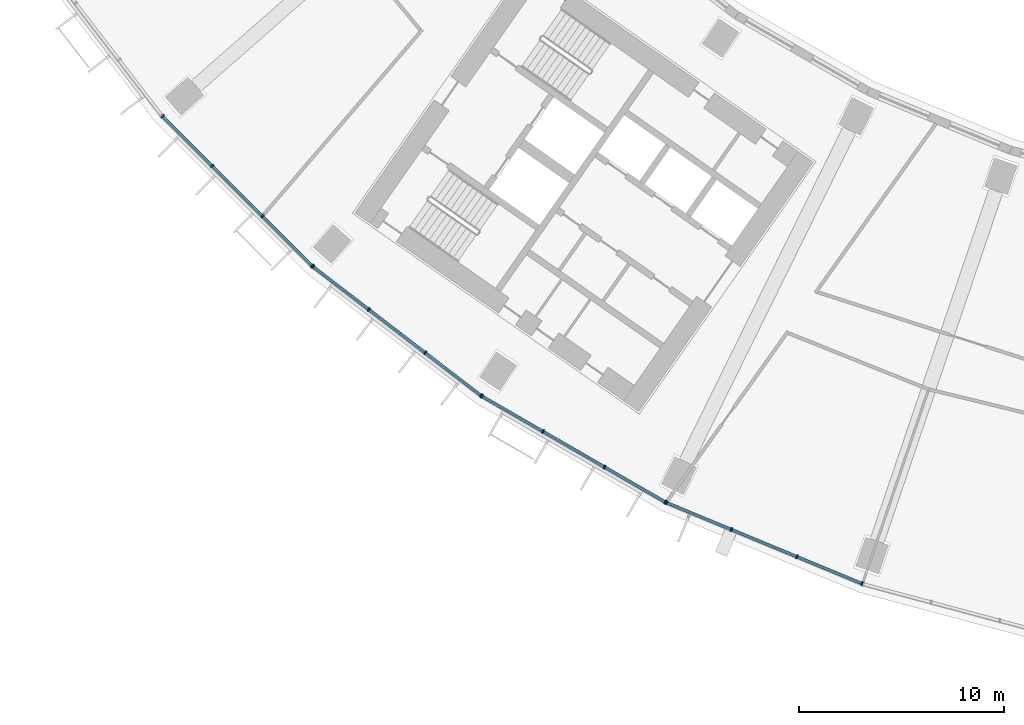
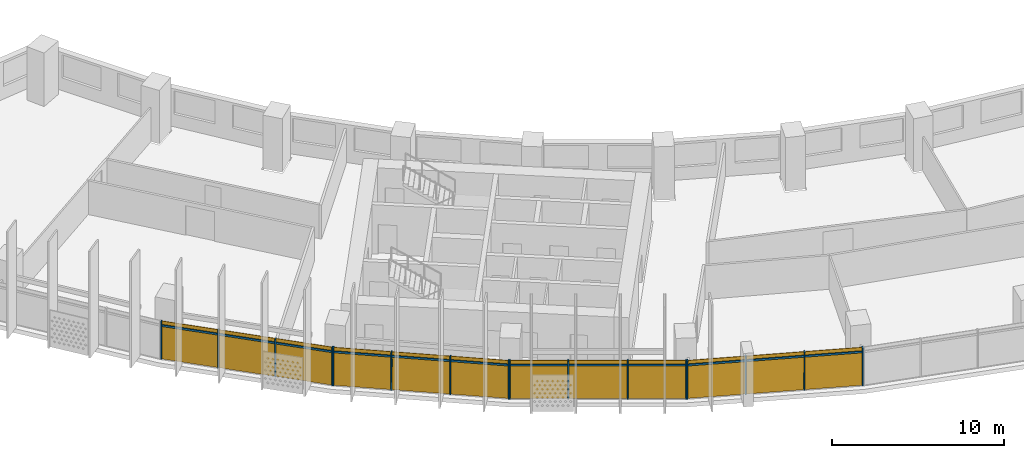
# One storey, part 18 of 33: 28 members, 4 curtain walls.
"""IFC4 building model written with IfcOpenShell, lengths in metres."""

import ifcopenshell
import ifcopenshell.guid

model = None  # the IFC model being written
_history = None  # IfcOwnerHistory: only IFC2X3 demands one
_inside = {}  # id of a spatial element -> (the spatial element, [elements in it])
_under = {}  # id of a project, library or spatial element -> (it, [spatial elements below it])
_declared = {}  # id of a project -> (the project, [libraries it declares])
_typed = {}  # id of a type object -> (the type object, [elements of that type])
_made_of = {}  # id of a material, layer set ... -> (it, [elements and type objects made of it])


def new_model(schema):
    """Start an empty IFC model of exactly this schema.

    Asked for "IFC4X3", IfcOpenShell would pick the latest addendum, in which some entities
    have other attributes; the version numbers below select the first issue.
    IFC2X3 requires an IfcOwnerHistory on every rooted entity: one is made here for all.
    """
    global model, _history
    if schema == "IFC4X3":
        model = ifcopenshell.file(schema_version=(4, 3, 0, 0))
    else:
        model = ifcopenshell.file(schema=schema)
    _inside.clear()
    _under.clear()
    _declared.clear()
    _typed.clear()
    _made_of.clear()
    _history = None
    if model.schema == "IFC2X3":
        org = make("IfcOrganization", Name="unknown")
        user = make(
            "IfcPersonAndOrganization",
            ThePerson=make("IfcPerson", FamilyName="unknown"),
            TheOrganization=org,
        )
        app = make(
            "IfcApplication",
            ApplicationDeveloper=org,
            Version="unknown",
            ApplicationFullName="unknown",
            ApplicationIdentifier="unknown",
        )
        _history = make(
            "IfcOwnerHistory",
            OwningUser=user,
            OwningApplication=app,
            ChangeAction="ADDED",
            CreationDate=0,
        )
    return model


def make(cls, **values):
    """One entity of the class cls with the attributes given. An attribute that is None is left unset."""
    return model.create_entity(
        cls, **{name: value for name, value in values.items() if value is not None}
    )


def rooted(cls, **values):
    """An entity with a GlobalId (a new one), such as an element, a storey or a relation."""
    return make(cls, GlobalId=ifcopenshell.guid.new(), OwnerHistory=_history, **values)


def si_unit(unit_type, name, prefix=None):
    """IfcSIUnit, for example si_unit("LENGTHUNIT", "METRE", prefix="MILLI")."""
    return make("IfcSIUnit", UnitType=unit_type, Prefix=prefix, Name=name)


def assignment(units):
    """IfcUnitAssignment: the units of a project."""
    return None if units is None else make("IfcUnitAssignment", Units=units)


def point(xyz):
    """IfcCartesianPoint."""
    return None if xyz is None else make("IfcCartesianPoint", Coordinates=xyz)


def direction(xyz):
    """IfcDirection."""
    return None if xyz is None else make("IfcDirection", DirectionRatios=xyz)


def frame(location, z_axis=None, x_axis=None):
    """IfcAxis2Placement3D, a coordinate frame: its origin and axes. An axis left out is left unset."""
    return make(
        "IfcAxis2Placement3D",
        Location=point(location),
        Axis=direction(z_axis),
        RefDirection=direction(x_axis),
    )


def frame_2d(location, x_axis=None):
    """IfcAxis2Placement2D, a coordinate frame in the plane: its origin and x axis."""
    return make(
        "IfcAxis2Placement2D", Location=point(location), RefDirection=direction(x_axis)
    )


def origin():
    """The frame at (0, 0, 0) with its axes left unset."""
    return frame((0.0, 0.0, 0.0))


def origin_2d():
    """The frame at (0, 0) in the plane with its x axis left unset."""
    return frame_2d((0.0, 0.0))


def place(relative_to, where):
    """IfcLocalPlacement: puts the frame where relative to a parent placement (None: the world)."""
    return make(
        "IfcLocalPlacement", PlacementRelTo=relative_to, RelativePlacement=where
    )


def context(
    kind, dimensions, precision=None, world=None, true_north=None, identifier=None
):
    """IfcGeometricRepresentationContext, for example the 3D "Model" context."""
    return make(
        "IfcGeometricRepresentationContext",
        ContextIdentifier=identifier,
        ContextType=kind,
        CoordinateSpaceDimension=dimensions,
        Precision=precision,
        WorldCoordinateSystem=world,
        TrueNorth=true_north,
    )


def subcontext(parent, identifier, kind, view, scale=None):
    """IfcGeometricRepresentationSubContext, for example "Body" below "Model"."""
    return make(
        "IfcGeometricRepresentationSubContext",
        ContextIdentifier=identifier,
        ContextType=kind,
        ParentContext=parent,
        TargetScale=scale,
        TargetView=view,
    )


def project(units=None, contexts=None):
    """IfcProject with its units and contexts."""
    return rooted(
        "IfcProject",
        Name="project",
        RepresentationContexts=contexts,
        UnitsInContext=assignment(units),
    )


def spatial(cls, under=None, at=None, **own):
    """A site, building, storey or space (cls), placed at a placement, below another one or the project."""
    s = rooted(cls, ObjectPlacement=at, **own)
    if under is not None:
        _under.setdefault(under.id(), (under, []))[1].append(s)
    return s


def profile(cls, at=None, kind="AREA", **sizes):
    """A parametric profile (cls). Its sizes go by their IFC names, for example OverallWidth=200.0."""
    return make(cls, ProfileType=kind, Position=at, **sizes)


def rectangle(**sizes):
    """IfcRectangleProfileDef."""
    return profile("IfcRectangleProfileDef", **sizes)


def extrude(swept, where, along, depth):
    """IfcExtrudedAreaSolid: the profile swept, set in the frame where, extruded along a direction by depth."""
    return make(
        "IfcExtrudedAreaSolid",
        SweptArea=swept,
        Position=where,
        ExtrudedDirection=direction(along),
        Depth=depth,
    )


def shape(context_of_items, identifier, shape_type, items):
    """IfcShapeRepresentation: the items that make up one representation, for example the "Body"."""
    return make(
        "IfcShapeRepresentation",
        ContextOfItems=context_of_items,
        RepresentationIdentifier=identifier,
        RepresentationType=shape_type,
        Items=items,
    )


def material(Name=None, Category=None):
    """IfcMaterial."""
    return make("IfcMaterial", Name=Name, Category=Category)


def material_profile(
    of_material, cross_section, Name=None, Category=None, Priority=None
):
    """IfcMaterialProfile: a cross section and its material."""
    return make(
        "IfcMaterialProfile",
        Name=Name,
        Material=of_material,
        Profile=cross_section,
        Priority=Priority,
        Category=Category,
    )


def profile_set(profiles, Name=None, composite=None):
    """IfcMaterialProfileSet."""
    return make(
        "IfcMaterialProfileSet",
        Name=Name,
        MaterialProfiles=profiles,
        CompositeProfile=composite,
    )


def made_of(thing, what):
    """Note that an element or type object is made of a material, layer set ...; save() writes the relation."""
    if what is not None:
        _made_of.setdefault(what.id(), (what, []))[1].append(thing)
    return thing


def type_object(cls, material=None, **own):
    """A type object (cls), such as IfcWallType, which elements share."""
    return made_of(rooted(cls, **own), material)


def element(
    cls,
    number,
    at=None,
    inside=None,
    cuts=None,
    type_object=None,
    material=None,
    context=None,
    identifier="Body",
    shape_type=None,
    held_by="IfcProductDefinitionShape",
    body=None,
    shapes=None,
    **own,
):
    """One element of the class cls, such as IfcWall. Its Tag is "e" and its number.

    at: its placement. inside: the storey or other place that contains it. cuts: it is an
    opening in that element (IfcRelVoidsElement). A single representation is given by context,
    identifier, shape_type and body (its items); several are given by shapes. held_by: the class
    of the entity that holds the representations. save() writes the other relations.
    """
    e = rooted(cls, Tag="e%d" % number, ObjectPlacement=at, **own)
    if body is not None:
        shapes = [shape(context, identifier, shape_type, body)]
    if shapes is not None:
        e.Representation = make(held_by, Representations=shapes)
    if inside is not None:
        _inside.setdefault(inside.id(), (inside, []))[1].append(e)
    if cuts is not None:
        rooted(
            "IfcRelVoidsElement", RelatingBuildingElement=cuts, RelatedOpeningElement=e
        )
    if type_object is not None:
        _typed.setdefault(type_object.id(), (type_object, []))[1].append(e)
    return made_of(e, material)


def aggregate(whole, parts):
    """IfcRelAggregates: a whole, such as a stair, and the parts it consists of."""
    return rooted("IfcRelAggregates", RelatingObject=whole, RelatedObjects=parts)


def save(model, path):
    """Write the relations noted so far, then the file.

    IfcRelAggregates (storeys below a building ...), IfcRelContainedInSpatialStructure (elements
    in a storey), IfcRelDefinesByType, IfcRelAssociatesMaterial and IfcRelDeclares: one each for
    every whole, place, type object, material and project.
    """
    for whole, parts in _under.values():
        aggregate(whole, parts)
    for where, things in _inside.values():
        rooted(
            "IfcRelContainedInSpatialStructure",
            RelatedElements=things,
            RelatingStructure=where,
        )
    for kind, things in _typed.values():
        rooted("IfcRelDefinesByType", RelatedObjects=things, RelatingType=kind)
    for what, things in _made_of.values():
        rooted("IfcRelAssociatesMaterial", RelatedObjects=things, RelatingMaterial=what)
    for by, libraries in _declared.values():
        rooted("IfcRelDeclares", RelatingContext=by, RelatedDefinitions=libraries)
    model.write(path)


model = new_model("IFC4")

# Units and contexts
model_context = context("Model", 3, precision=1e-05, world=origin(), true_north=direction((0.0, 1.0)))
body_context = subcontext(model_context, "Body", "Model", "MODEL_VIEW")
ifc_project = project(units=[si_unit("LENGTHUNIT", "METRE"), si_unit("AREAUNIT", "SQUARE_METRE"), si_unit("VOLUMEUNIT", "CUBIC_METRE"), si_unit("PLANEANGLEUNIT", "RADIAN"), si_unit("MASSUNIT", "GRAM", prefix="KILO")], contexts=[model_context])

# Member
ifc_material = material(Name="Aluminium 6063-T6 anodised", Category="aluminium")
ifc_material_profile_1 = material_profile(ifc_material, rectangle(XDim=0.199951171875, YDim=0.070068359375, at=origin_2d()))
ifc_profile_set_1 = profile_set([ifc_material_profile_1], Name="Aluminium 6063-T6 anodised")
member_type_1 = type_object("IfcMemberType", Name="Mullion 70 x 200 aluminium", PredefinedType="MULLION", material=ifc_profile_set_1)
site_placement = place(None, origin())
building_placement = place(site_placement, origin())
storey_placement = place(building_placement, frame((0.0, 0.0, 94.89990234375)))
member_1_placement = place(storey_placement, frame((-59.525390625, -52.240234375, 0.0), z_axis=(0.0, 0.0, 1.0), x_axis=(0.707106781187, 0.707106781187, 0.0)))
member_1 = element("IfcMember", 1, at=member_1_placement, type_object=member_type_1, Name="e-cw1-L20-out03/M00", PredefinedType="MULLION", context=body_context, shape_type="SweptSolid", body=[
    extrude(rectangle(XDim=0.199951171875, YDim=0.070068359375, at=origin_2d()), origin(), (0.0, 0.0, 1.0), 2.7001953125),
])

member_2_placement = place(storey_placement, frame((-57.105224609375, -54.660400390625, 0.0), z_axis=(0.0, 0.0, 1.0), x_axis=(0.707106781187, 0.707106781187, 0.0)))
member_2 = element("IfcMember", 2, at=member_2_placement, type_object=member_type_1, Name="e-cw1-L20-out03/M01", PredefinedType="MULLION", context=body_context, shape_type="SweptSolid", body=[
    extrude(rectangle(XDim=0.199951171875, YDim=0.070068359375, at=origin_2d()), origin(), (0.0, 0.0, 1.0), 2.7001953125),
])

member_3_placement = place(storey_placement, frame((-54.660400390625, -57.105224609375, 0.0), z_axis=(0.0, 0.0, 1.0), x_axis=(0.707106781187, 0.707106781187, 0.0)))
member_3 = element("IfcMember", 3, at=member_3_placement, type_object=member_type_1, Name="e-cw1-L20-out03/M02", PredefinedType="MULLION", context=body_context, shape_type="SweptSolid", body=[
    extrude(rectangle(XDim=0.199951171875, YDim=0.070068359375, at=origin_2d()), origin(), (0.0, 0.0, 1.0), 2.7001953125),
])

member_4_placement = place(storey_placement, frame((-52.240234375, -59.525390625, 0.0), z_axis=(0.0, 0.0, 1.0), x_axis=(0.707106781187, 0.707106781187, 0.0)))
member_4 = element("IfcMember", 4, at=member_4_placement, type_object=member_type_1, Name="e-cw1-L20-out03/M03", PredefinedType="MULLION", context=body_context, shape_type="SweptSolid", body=[
    extrude(rectangle(XDim=0.199951171875, YDim=0.070068359375, at=origin_2d()), origin(), (0.0, 0.0, 1.0), 2.7001953125),
])

member_5_placement = place(storey_placement, frame((-52.197509765625, -59.56298828125, 0.0), z_axis=(0.0, 0.0, 1.0), x_axis=(0.608761429009, 0.793353340291, 0.0)))
member_5 = element("IfcMember", 5, at=member_5_placement, type_object=member_type_1, Name="e-cw1-L20-out04/M00", PredefinedType="MULLION", context=body_context, shape_type="SweptSolid", body=[
    extrude(rectangle(XDim=0.199951171875, YDim=0.070068359375, at=origin_2d()), origin(), (0.0, 0.0, 1.0), 2.7001953125),
])

member_6_placement = place(storey_placement, frame((-49.482177734375, -61.646484375, 0.0), z_axis=(0.0, 0.0, 1.0), x_axis=(0.608761429009, 0.793353340291, 0.0)))
member_6 = element("IfcMember", 6, at=member_6_placement, type_object=member_type_1, Name="e-cw1-L20-out04/M01", PredefinedType="MULLION", context=body_context, shape_type="SweptSolid", body=[
    extrude(rectangle(XDim=0.199951171875, YDim=0.070068359375, at=origin_2d()), origin(), (0.0, 0.0, 1.0), 2.7001953125),
])

member_7_placement = place(storey_placement, frame((-46.739013671875, -63.751220703125, 0.0), z_axis=(0.0, 0.0, 1.0), x_axis=(0.608761429009, 0.793353340291, 0.0)))
member_7 = element("IfcMember", 7, at=member_7_placement, type_object=member_type_1, Name="e-cw1-L20-out04/M02", PredefinedType="MULLION", context=body_context, shape_type="SweptSolid", body=[
    extrude(rectangle(XDim=0.199951171875, YDim=0.070068359375, at=origin_2d()), origin(), (0.0, 0.0, 1.0), 2.7001953125),
])

member_8_placement = place(storey_placement, frame((-44.023681640625, -65.8349609375, 0.0), z_axis=(0.0, 0.0, 1.0), x_axis=(0.608761429009, 0.793353340291, 0.0)))
member_8 = element("IfcMember", 8, at=member_8_placement, type_object=member_type_1, Name="e-cw1-L20-out04/M03", PredefinedType="MULLION", context=body_context, shape_type="SweptSolid", body=[
    extrude(rectangle(XDim=0.199951171875, YDim=0.070068359375, at=origin_2d()), origin(), (0.0, 0.0, 1.0), 2.7001953125),
])

member_9_placement = place(storey_placement, frame((-43.976318359375, -65.866455078125, 0.0), z_axis=(0.0, 0.0, 1.0), x_axis=(0.5, 0.866025403784, 0.0)))
member_9 = element("IfcMember", 9, at=member_9_placement, type_object=member_type_1, Name="e-cw1-L20-out05/M00", PredefinedType="MULLION", context=body_context, shape_type="SweptSolid", body=[
    extrude(rectangle(XDim=0.199951171875, YDim=0.070068359375, at=origin_2d()), origin(), (0.0, 0.0, 1.0), 2.7001953125),
])

member_10_placement = place(storey_placement, frame((-41.01220703125, -67.577880859375, 0.0), z_axis=(0.0, 0.0, 1.0), x_axis=(0.5, 0.866025403784, 0.0)))
member_10 = element("IfcMember", 10, at=member_10_placement, type_object=member_type_1, Name="e-cw1-L20-out05/M01", PredefinedType="MULLION", context=body_context, shape_type="SweptSolid", body=[
    extrude(rectangle(XDim=0.199951171875, YDim=0.070068359375, at=origin_2d()), origin(), (0.0, 0.0, 1.0), 2.7001953125),
])

member_11_placement = place(storey_placement, frame((-38.017822265625, -69.306640625, 0.0), z_axis=(0.0, 0.0, 1.0), x_axis=(0.5, 0.866025403784, 0.0)))
member_11 = element("IfcMember", 11, at=member_11_placement, type_object=member_type_1, Name="e-cw1-L20-out05/M02", PredefinedType="MULLION", context=body_context, shape_type="SweptSolid", body=[
    extrude(rectangle(XDim=0.199951171875, YDim=0.070068359375, at=origin_2d()), origin(), (0.0, 0.0, 1.0), 2.7001953125),
])

member_12_placement = place(storey_placement, frame((-35.0537109375, -71.017822265625, 0.0), z_axis=(0.0, 0.0, 1.0), x_axis=(0.5, 0.866025403784, 0.0)))
member_12 = element("IfcMember", 12, at=member_12_placement, type_object=member_type_1, Name="e-cw1-L20-out05/M03", PredefinedType="MULLION", context=body_context, shape_type="SweptSolid", body=[
    extrude(rectangle(XDim=0.199951171875, YDim=0.070068359375, at=origin_2d()), origin(), (0.0, 0.0, 1.0), 2.7001953125),
])

member_13_placement = place(storey_placement, frame((-35.0029296875, -71.04296875, 0.0), z_axis=(0.0, 0.0, 1.0), x_axis=(0.382683432365, 0.923879532511, 0.0)))
member_13 = element("IfcMember", 13, at=member_13_placement, type_object=member_type_1, Name="e-cw1-L20-out06/M00", PredefinedType="MULLION", context=body_context, shape_type="SweptSolid", body=[
    extrude(rectangle(XDim=0.199951171875, YDim=0.070068359375, at=origin_2d()), origin(), (0.0, 0.0, 1.0), 2.7001953125),
])

member_14_placement = place(storey_placement, frame((-31.8408203125, -72.352783203125, 0.0), z_axis=(0.0, 0.0, 1.0), x_axis=(0.382683432365, 0.923879532511, 0.0)))
member_14 = element("IfcMember", 14, at=member_14_placement, type_object=member_type_1, Name="e-cw1-L20-out06/M01", PredefinedType="MULLION", context=body_context, shape_type="SweptSolid", body=[
    extrude(rectangle(XDim=0.199951171875, YDim=0.070068359375, at=origin_2d()), origin(), (0.0, 0.0, 1.0), 2.7001953125),
])

member_15_placement = place(storey_placement, frame((-28.646240234375, -73.676025390625, 0.0), z_axis=(0.0, 0.0, 1.0), x_axis=(0.382683432365, 0.923879532511, 0.0)))
member_15 = element("IfcMember", 15, at=member_15_placement, type_object=member_type_1, Name="e-cw1-L20-out06/M02", PredefinedType="MULLION", context=body_context, shape_type="SweptSolid", body=[
    extrude(rectangle(XDim=0.199951171875, YDim=0.070068359375, at=origin_2d()), origin(), (0.0, 0.0, 1.0), 2.7001953125),
])

member_16_placement = place(storey_placement, frame((-25.484130859375, -74.98583984375, 0.0), z_axis=(0.0, 0.0, 1.0), x_axis=(0.382683432365, 0.923879532511, 0.0)))
member_16 = element("IfcMember", 16, at=member_16_placement, type_object=member_type_1, Name="e-cw1-L20-out06/M03", PredefinedType="MULLION", context=body_context, shape_type="SweptSolid", body=[
    extrude(rectangle(XDim=0.199951171875, YDim=0.070068359375, at=origin_2d()), origin(), (0.0, 0.0, 1.0), 2.7001953125),
])

ifc_material_profile_2 = material_profile(ifc_material, rectangle(XDim=0.139892578125, YDim=0.1201171875, at=origin_2d()))
ifc_profile_set_2 = profile_set([ifc_material_profile_2], Name="Aluminium 6063-T6 anodised")
member_type_2 = type_object("IfcMemberType", Name="Transom 120 x 140 aluminium", PredefinedType="USERDEFINED", material=ifc_profile_set_2)
member_17_placement = place(storey_placement, frame((-59.500732421875, -52.264892578125, 2.400146484375), z_axis=(0.707106781187, -0.707106781187, 0.0), x_axis=(0.707106781187, 0.707106781187, 0.0)))
member_17 = element("IfcMember", 17, at=member_17_placement, type_object=member_type_2, Name="e-cw1-L20-out03/T00", ObjectType="TRANSOM", PredefinedType="USERDEFINED", context=body_context, shape_type="SweptSolid", body=[
    extrude(rectangle(XDim=0.139892578125, YDim=0.1201171875, at=origin_2d()), origin(), (0.0, 0.0, 1.0), 3.3525390625),
])

member_18_placement = place(storey_placement, frame((-57.08056640625, -54.68505859375, 2.400146484375), z_axis=(0.707106781187, -0.707106781187, 0.0), x_axis=(0.707106781187, 0.707106781187, 0.0)))
member_18 = element("IfcMember", 18, at=member_18_placement, type_object=member_type_2, Name="e-cw1-L20-out03/T01", ObjectType="TRANSOM", PredefinedType="USERDEFINED", context=body_context, shape_type="SweptSolid", body=[
    extrude(rectangle(XDim=0.139892578125, YDim=0.1201171875, at=origin_2d()), origin(), (0.0, 0.0, 1.0), 3.3876953125),
])

member_19_placement = place(storey_placement, frame((-54.635498046875, -57.130126953125, 2.400146484375), z_axis=(0.707106781187, -0.707106781187, 0.0), x_axis=(0.707106781187, 0.707106781187, 0.0)))
member_19 = element("IfcMember", 19, at=member_19_placement, type_object=member_type_2, Name="e-cw1-L20-out03/T02", ObjectType="TRANSOM", PredefinedType="USERDEFINED", context=body_context, shape_type="SweptSolid", body=[
    extrude(rectangle(XDim=0.139892578125, YDim=0.1201171875, at=origin_2d()), origin(), (0.0, 0.0, 1.0), 3.3525390625),
])

member_20_placement = place(storey_placement, frame((-52.169677734375, -59.584228515625, 2.400146484375), z_axis=(0.793354308621, -0.608760167055, 0.0), x_axis=(0.608760167055, 0.793354308621, 0.0)))
member_20 = element("IfcMember", 20, at=member_20_placement, type_object=member_type_2, Name="e-cw1-L20-out04/T00", ObjectType="TRANSOM", PredefinedType="USERDEFINED", context=body_context, shape_type="SweptSolid", body=[
    extrude(rectangle(XDim=0.139892578125, YDim=0.1201171875, at=origin_2d()), origin(), (0.0, 0.0, 1.0), 3.352783203125),
])

member_21_placement = place(storey_placement, frame((-49.454345703125, -61.667724609375, 2.400146484375), z_axis=(0.793344133173, -0.608773427772, 0.0), x_axis=(0.608773427772, 0.793344133173, 0.0)))
member_21 = element("IfcMember", 21, at=member_21_placement, type_object=member_type_2, Name="e-cw1-L20-out04/T01", ObjectType="TRANSOM", PredefinedType="USERDEFINED", context=body_context, shape_type="SweptSolid", body=[
    extrude(rectangle(XDim=0.139892578125, YDim=0.1201171875, at=origin_2d()), origin(), (0.0, 0.0, 1.0), 3.387451171875),
])

member_22_placement = place(storey_placement, frame((-46.711181640625, -63.772705078125, 2.400146484375), z_axis=(0.793389477316, -0.608714331426, 0.0), x_axis=(0.608714331426, 0.793389477316, 0.0)))
member_22 = element("IfcMember", 22, at=member_22_placement, type_object=member_type_2, Name="e-cw1-L20-out04/T02", ObjectType="TRANSOM", PredefinedType="USERDEFINED", context=body_context, shape_type="SweptSolid", body=[
    extrude(rectangle(XDim=0.139892578125, YDim=0.1201171875, at=origin_2d()), origin(), (0.0, 0.0, 1.0), 3.3525390625),
])

member_23_placement = place(storey_placement, frame((-43.946044921875, -65.884033203125, 2.400146484375), z_axis=(0.866020654818, -0.50000822536, 0.0), x_axis=(0.50000822536, 0.866020654818, 0.0)))
member_23 = element("IfcMember", 23, at=member_23_placement, type_object=member_type_2, Name="e-cw1-L20-out05/T00", ObjectType="TRANSOM", PredefinedType="USERDEFINED", context=body_context, shape_type="SweptSolid", body=[
    extrude(rectangle(XDim=0.139892578125, YDim=0.1201171875, at=origin_2d()), origin(), (0.0, 0.0, 1.0), 3.3525390625),
])

member_24_placement = place(storey_placement, frame((-40.98193359375, -67.59521484375, 2.400146484375), z_axis=(0.866025971257, -0.499999017107, 0.0), x_axis=(0.499999017107, 0.866025971257, 0.0)))
member_24 = element("IfcMember", 24, at=member_24_placement, type_object=member_type_2, Name="e-cw1-L20-out05/T01", ObjectType="TRANSOM", PredefinedType="USERDEFINED", context=body_context, shape_type="SweptSolid", body=[
    extrude(rectangle(XDim=0.139892578125, YDim=0.1201171875, at=origin_2d()), origin(), (0.0, 0.0, 1.0), 3.3876953125),
])

member_25_placement = place(storey_placement, frame((-37.987548828125, -69.323974609375, 2.400146484375), z_axis=(0.865989120267, -0.50006283963, 0.0), x_axis=(0.50006283963, 0.865989120267, 0.0)))
member_25 = element("IfcMember", 25, at=member_25_placement, type_object=member_type_2, Name="e-cw1-L20-out05/T02", ObjectType="TRANSOM", PredefinedType="USERDEFINED", context=body_context, shape_type="SweptSolid", body=[
    extrude(rectangle(XDim=0.139892578125, YDim=0.1201171875, at=origin_2d()), origin(), (0.0, 0.0, 1.0), 3.3525390625),
])

member_26_placement = place(storey_placement, frame((-34.970458984375, -71.056396484375, 2.400146484375), z_axis=(0.923882814237, -0.382675509483, 0.0), x_axis=(0.382675509483, 0.923882814237, 0.0)))
member_26 = element("IfcMember", 26, at=member_26_placement, type_object=member_type_2, Name="e-cw1-L20-out06/T00", ObjectType="TRANSOM", PredefinedType="USERDEFINED", context=body_context, shape_type="SweptSolid", body=[
    extrude(rectangle(XDim=0.139892578125, YDim=0.1201171875, at=origin_2d()), origin(), (0.0, 0.0, 1.0), 3.3525390625),
])

member_27_placement = place(storey_placement, frame((-31.808349609375, -72.3662109375, 2.400146484375), z_axis=(0.923874529423, -0.382695510666, 0.0), x_axis=(0.382695510666, 0.923874529423, 0.0)))
member_27 = element("IfcMember", 27, at=member_27_placement, type_object=member_type_2, Name="e-cw1-L20-out06/T01", ObjectType="TRANSOM", PredefinedType="USERDEFINED", context=body_context, shape_type="SweptSolid", body=[
    extrude(rectangle(XDim=0.139892578125, YDim=0.1201171875, at=origin_2d()), origin(), (0.0, 0.0, 1.0), 3.387451171875),
])

member_28_placement = place(storey_placement, frame((-28.614013671875, -73.689453125, 2.400146484375), z_axis=(0.923882814237, -0.382675509483, 0.0), x_axis=(0.382675509483, 0.923882814237, 0.0)))
member_28 = element("IfcMember", 28, at=member_28_placement, type_object=member_type_2, Name="e-cw1-L20-out06/T02", ObjectType="TRANSOM", PredefinedType="USERDEFINED", context=body_context, shape_type="SweptSolid", body=[
    extrude(rectangle(XDim=0.139892578125, YDim=0.1201171875, at=origin_2d()), origin(), (0.0, 0.0, 1.0), 3.3525390625),
])

# Site, building, storey
site = spatial("IfcSite", under=ifc_project, at=site_placement, CompositionType="ELEMENT")
building = spatial("IfcBuilding", under=site, at=building_placement, Name="Qamariyya Broadcast Tower", CompositionType="ELEMENT")
storey = spatial("IfcBuildingStorey", under=building, at=storey_placement, Name="L20", CompositionType="ELEMENT", Elevation=94.89990234375)

# Curtain wall
curtain_wall_type = type_object("IfcCurtainWallType", Name="Unitised curtain wall, anodised aluminium", PredefinedType="NOTDEFINED", material=ifc_material)
curtain_wall_1_placement = place(storey_placement, origin())
curtain_wall_1 = element("IfcCurtainWall", 29, at=curtain_wall_1_placement, inside=storey, type_object=curtain_wall_type, Name="e-cw1-L20-out03", PredefinedType="NOTDEFINED", context=body_context, shape_type="SweptSolid", body=[
    extrude(rectangle(XDim=3.352783203125, YDim=0.031982421875, at=origin_2d()), frame((-58.3154296875, -53.4501953125, 0.0), x_axis=(0.707106781187, -0.707106781187, 0.0)), (0.0, 0.0, 1.0), 2.340087890625),
    extrude(rectangle(XDim=3.352783203125, YDim=0.031982421875, at=origin_2d()), frame((-58.3154296875, -53.4501953125, 2.460205078125), x_axis=(0.707106781187, -0.707106781187, 0.0)), (0.0, 0.0, 1.0), 0.239990234375),
    extrude(rectangle(XDim=3.3876953125, YDim=0.031982421875, at=origin_2d()), frame((-55.8828125, -55.8828125, 0.0), x_axis=(0.707106781187, -0.707106781187, 0.0)), (0.0, 0.0, 1.0), 2.340087890625),
    extrude(rectangle(XDim=3.3876953125, YDim=0.031982421875, at=origin_2d()), frame((-55.8828125, -55.8828125, 2.460205078125), x_axis=(0.707106781187, -0.707106781187, 0.0)), (0.0, 0.0, 1.0), 0.239990234375),
    extrude(rectangle(XDim=3.352783203125, YDim=0.031982421875, at=origin_2d()), frame((-53.4501953125, -58.3154296875, 0.0), x_axis=(0.707106781187, -0.707106781187, 0.0)), (0.0, 0.0, 1.0), 2.340087890625),
    extrude(rectangle(XDim=3.352783203125, YDim=0.031982421875, at=origin_2d()), frame((-53.4501953125, -58.3154296875, 2.460205078125), x_axis=(0.707106781187, -0.707106781187, 0.0)), (0.0, 0.0, 1.0), 0.239990234375),
])

aggregate(curtain_wall_1, [member_1, member_2, member_3, member_4, member_17, member_18, member_19])

curtain_wall_2_placement = place(storey_placement, origin())
curtain_wall_2 = element("IfcCurtainWall", 30, at=curtain_wall_2_placement, inside=storey, type_object=curtain_wall_type, Name="e-cw1-L20-out04", PredefinedType="NOTDEFINED", context=body_context, shape_type="SweptSolid", body=[
    extrude(rectangle(XDim=3.352783203125, YDim=0.031982421875, at=origin_2d()), frame((-50.83984375, -60.6044921875, 0.0), x_axis=(0.793354000839, -0.608760568165, 0.0)), (0.0, 0.0, 1.0), 2.340087890625),
    extrude(rectangle(XDim=3.352783203125, YDim=0.031982421875, at=origin_2d()), frame((-50.83984375, -60.6044921875, 2.460205078125), x_axis=(0.793354000839, -0.608760568165, 0.0)), (0.0, 0.0, 1.0), 0.239990234375),
    extrude(rectangle(XDim=3.3876953125, YDim=0.031982421875, at=origin_2d()), frame((-48.110595703125, -62.69873046875, 0.0), x_axis=(0.793354000839, -0.608760568165, 0.0)), (0.0, 0.0, 1.0), 2.340087890625),
    extrude(rectangle(XDim=3.3876953125, YDim=0.031982421875, at=origin_2d()), frame((-48.110595703125, -62.69873046875, 2.460205078125), x_axis=(0.793354000839, -0.608760568165, 0.0)), (0.0, 0.0, 1.0), 0.239990234375),
    extrude(rectangle(XDim=3.352783203125, YDim=0.031982421875, at=origin_2d()), frame((-45.38134765625, -64.793212890625, 0.0), x_axis=(0.793354000839, -0.608760568165, 0.0)), (0.0, 0.0, 1.0), 2.340087890625),
    extrude(rectangle(XDim=3.352783203125, YDim=0.031982421875, at=origin_2d()), frame((-45.38134765625, -64.793212890625, 2.460205078125), x_axis=(0.793354000839, -0.608760568165, 0.0)), (0.0, 0.0, 1.0), 0.239990234375),
])

aggregate(curtain_wall_2, [member_5, member_6, member_7, member_8, member_20, member_21, member_22])

curtain_wall_3_placement = place(storey_placement, origin())
curtain_wall_3 = element("IfcCurtainWall", 31, at=curtain_wall_3_placement, inside=storey, type_object=curtain_wall_type, Name="e-cw1-L20-out05", PredefinedType="NOTDEFINED", context=body_context, shape_type="SweptSolid", body=[
    extrude(rectangle(XDim=3.352783203125, YDim=0.031982421875, at=origin_2d()), frame((-42.494384765625, -66.72216796875, 0.0), x_axis=(0.866027243369, -0.499996813733, 0.0)), (0.0, 0.0, 1.0), 2.340087890625),
    extrude(rectangle(XDim=3.352783203125, YDim=0.031982421875, at=origin_2d()), frame((-42.494384765625, -66.72216796875, 2.460205078125), x_axis=(0.866027243369, -0.499996813733, 0.0)), (0.0, 0.0, 1.0), 0.239990234375),
    extrude(rectangle(XDim=3.3876953125, YDim=0.031982421875, at=origin_2d()), frame((-39.51513671875, -68.442138671875, 0.0), x_axis=(0.866027243369, -0.499996813733, 0.0)), (0.0, 0.0, 1.0), 2.340087890625),
    extrude(rectangle(XDim=3.3876953125, YDim=0.031982421875, at=origin_2d()), frame((-39.51513671875, -68.442138671875, 2.460205078125), x_axis=(0.866027243369, -0.499996813733, 0.0)), (0.0, 0.0, 1.0), 0.239990234375),
    extrude(rectangle(XDim=3.352783203125, YDim=0.031982421875, at=origin_2d()), frame((-36.535888671875, -70.162109375, 0.0), x_axis=(0.866027243369, -0.499996813733, 0.0)), (0.0, 0.0, 1.0), 2.340087890625),
    extrude(rectangle(XDim=3.352783203125, YDim=0.031982421875, at=origin_2d()), frame((-36.535888671875, -70.162109375, 2.460205078125), x_axis=(0.866027243369, -0.499996813733, 0.0)), (0.0, 0.0, 1.0), 0.239990234375),
])

aggregate(curtain_wall_3, [member_9, member_10, member_11, member_12, member_23, member_24, member_25])

curtain_wall_4_placement = place(storey_placement, origin())
curtain_wall_4 = element("IfcCurtainWall", 32, at=curtain_wall_4_placement, inside=storey, type_object=curtain_wall_type, Name="e-cw1-L20-out06", PredefinedType="NOTDEFINED", context=body_context, shape_type="SweptSolid", body=[
    extrude(rectangle(XDim=3.3525390625, YDim=0.031982421875, at=origin_2d()), frame((-33.421875, -71.69775390625, 0.0), x_axis=(0.923872250857, -0.382701011361, 0.0)), (0.0, 0.0, 1.0), 2.340087890625),
    extrude(rectangle(XDim=3.3525390625, YDim=0.031982421875, at=origin_2d()), frame((-33.421875, -71.69775390625, 2.460205078125), x_axis=(0.923872250857, -0.382701011361, 0.0)), (0.0, 0.0, 1.0), 0.239990234375),
    extrude(rectangle(XDim=3.3876953125, YDim=0.031982421875, at=origin_2d()), frame((-30.24365234375, -73.014404296875, 0.0), x_axis=(0.923872250857, -0.382701011361, 0.0)), (0.0, 0.0, 1.0), 2.340087890625),
    extrude(rectangle(XDim=3.3876953125, YDim=0.031982421875, at=origin_2d()), frame((-30.24365234375, -73.014404296875, 2.460205078125), x_axis=(0.923872250857, -0.382701011361, 0.0)), (0.0, 0.0, 1.0), 0.239990234375),
    extrude(rectangle(XDim=3.3525390625, YDim=0.031982421875, at=origin_2d()), frame((-27.065185546875, -74.3310546875, 0.0), x_axis=(0.923872250857, -0.382701011361, 0.0)), (0.0, 0.0, 1.0), 2.340087890625),
    extrude(rectangle(XDim=3.3525390625, YDim=0.031982421875, at=origin_2d()), frame((-27.065185546875, -74.3310546875, 2.460205078125), x_axis=(0.923872250857, -0.382701011361, 0.0)), (0.0, 0.0, 1.0), 0.239990234375),
])

aggregate(curtain_wall_4, [member_13, member_14, member_15, member_16, member_26, member_27, member_28])

save(model, "model.ifc")
